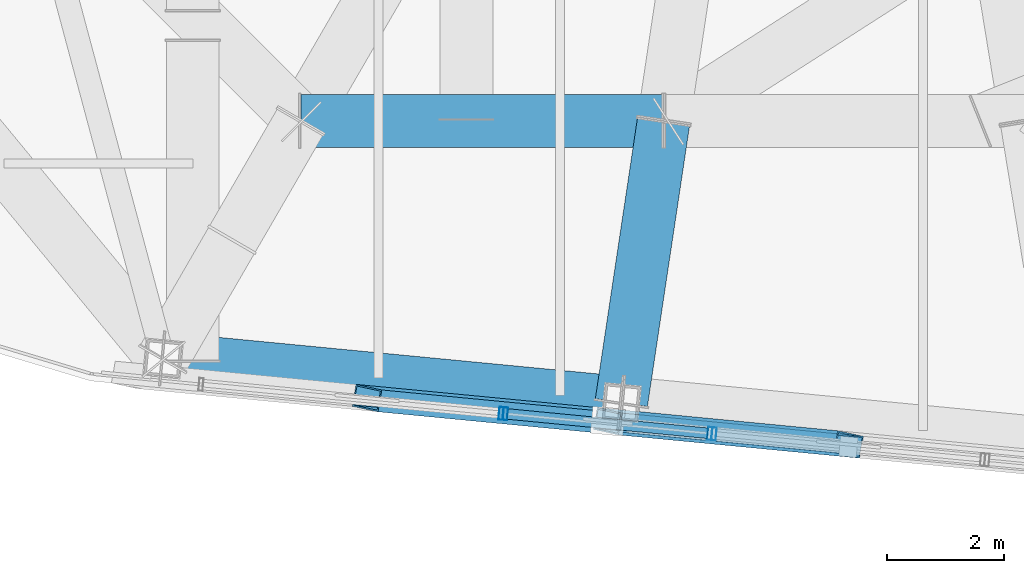
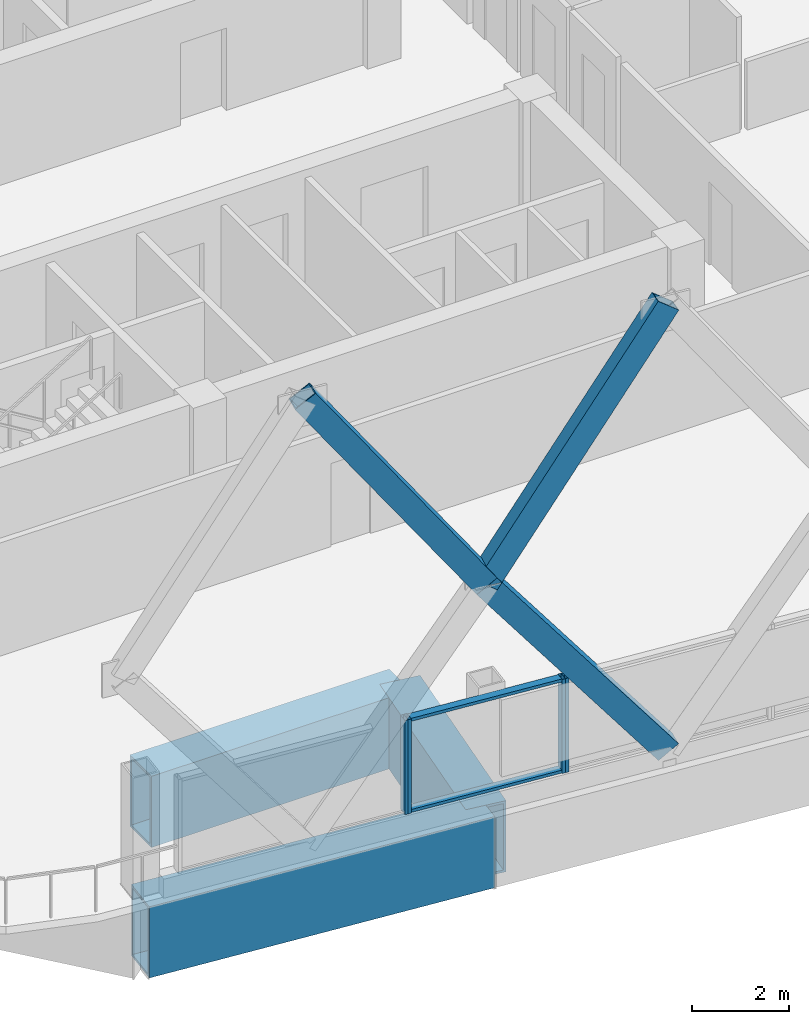
# One storey, part 3 of 31: 9 members, 3 beams, 3 elements without a shape of their own.
"""IFC4 building model written with IfcOpenShell, lengths in metres."""

from ifc_helpers import new_model, si_unit, direction, frame, origin, origin_2d, place, context, subcontext, project, spatial, hollow_rectangle, extrude, material, layer, layer_set, material_profile, profile_set, type_object, element, aggregate, save


model = new_model("IFC4")

# Units and contexts
model_context = context("Model", 3, precision=1e-05, world=origin(), true_north=direction((0.0, 1.0)))
body_context = subcontext(model_context, "Body", "Model", "MODEL_VIEW")
ifc_project = project(units=[si_unit("LENGTHUNIT", "METRE"), si_unit("AREAUNIT", "SQUARE_METRE"), si_unit("VOLUMEUNIT", "CUBIC_METRE"), si_unit("PLANEANGLEUNIT", "RADIAN"), si_unit("MASSUNIT", "GRAM", prefix="KILO")], contexts=[model_context])

# Site, building, storey
site_placement = place(None, origin())
site = spatial("IfcSite", under=ifc_project, at=site_placement, CompositionType="ELEMENT")
building_placement = place(site_placement, origin())
building = spatial("IfcBuilding", under=site, at=building_placement, Name="Qhalaya Broadcast Tower", CompositionType="ELEMENT")
storey_placement = place(building_placement, frame((0.0, 0.0, 242.85009765625)))
storey = spatial("IfcBuildingStorey", under=building, at=storey_placement, Name="L71", CompositionType="ELEMENT", Elevation=242.85009765625)

# Beams
ifc_material_1 = material(Name="Structural Steel ASTM A572 Grade 50", Category="steel")
ifc_material_profile_1 = material_profile(ifc_material_1, hollow_rectangle(XDim=0.89990234375, YDim=1.800048828125, WallThickness=0.06005859375, at=origin_2d()), Name="BOX 900x1800x60")
ifc_profile_set_1 = profile_set([ifc_material_profile_1], Name="Structural Steel ASTM A572 Grade 50")
beam_type = type_object("IfcBeamType", Name="Block Cantilever Transfer Box Girder TG1", PredefinedType="USERDEFINED", material=ifc_profile_set_1)
beam_1_placement = place(storey_placement, frame((-9.883056640625, -19.82861328125, -1.090087890625), z_axis=(0.995397308407, -0.095834223619, 0.0), x_axis=(0.095834223619, 0.995397308407, 0.0)))
element("IfcBeam", 1, at=beam_1_placement, inside=storey, type_object=beam_type, Name="L71 TG1 L71-SPR-01", ObjectType="GIRDER", PredefinedType="USERDEFINED", context=body_context, shape_type="SweptSolid", body=[
    extrude(hollow_rectangle(XDim=0.89990234375, YDim=1.800048828125, WallThickness=0.06005859375, at=origin_2d()), origin(), (0.0, 0.0, 1.0), 7.86669921875),
])
beam_2_placement = place(storey_placement, frame((-7.530029296875, -15.77001953125, -1.090087890625), z_axis=(1.0, 0.0, 0.0), x_axis=(0.0, 1.0, 0.0)))
element("IfcBeam", 2, at=beam_2_placement, inside=storey, type_object=beam_type, Name="L71 TG1 L71-TGL-01", ObjectType="GIRDER", PredefinedType="USERDEFINED", context=body_context, shape_type="SweptSolid", body=[
    extrude(hollow_rectangle(XDim=0.89990234375, YDim=1.800048828125, WallThickness=0.06005859375, at=origin_2d()), origin(), (0.0, 0.0, 1.0), 6.199951171875),
])
beam_3_placement = place(storey_placement, frame((-1.330078125, -15.77001953125, -1.090087890625), z_axis=(-0.148448393908, -0.988920155698, 0.0), x_axis=(0.988920155698, -0.148448393908, 0.0)))
element("IfcBeam", 3, at=beam_3_placement, inside=storey, type_object=beam_type, Name="L71 Cantilever Transfer Box Girder 02", ObjectType="GIRDER", PredefinedType="USERDEFINED", context=body_context, shape_type="SweptSolid", body=[
    extrude(hollow_rectangle(XDim=0.89990234375, YDim=1.800048828125, WallThickness=0.06005859375, at=origin_2d()), origin(), (0.0, 0.0, 1.0), 4.866455078125),
])

# Members
ifc_material_profile_2 = material_profile(ifc_material_1, hollow_rectangle(XDim=0.3798828125, YDim=0.550048828125, WallThickness=0.02490234375, at=origin_2d()), Name="BOX 380x550x25")
ifc_profile_set_2 = profile_set([ifc_material_profile_2], Name="Structural Steel ASTM A572 Grade 50")
member_type_1 = type_object("IfcMemberType", Name="Exoskeleton Diamond Diagonal Upper EX4", PredefinedType="BRACE", material=ifc_profile_set_2)
member_1_placement = place(storey_placement, frame((-2.2841796875, -20.901611328125, 5.7548828125), z_axis=(-0.572754517502, 0.055127452373, 0.817871155303), x_axis=(-0.17339475171, -0.983307053674, -0.055149780368)))
element("IfcMember", 4, at=member_1_placement, inside=storey, type_object=member_type_1, Name="B6 Exoskeleton Diamond Brace S1-D4", PredefinedType="BRACE", context=body_context, shape_type="SweptSolid", body=[
    extrude(hollow_rectangle(XDim=0.3798828125, YDim=0.550048828125, WallThickness=0.02490234375, at=origin_2d()), origin(), (0.0, 0.0, 1.0), 7.183349609375),
])
member_2_placement = place(storey_placement, frame((1.830078125, -21.2978515625, 0.35986328125), z_axis=(-0.605362942159, 0.058301925892, 0.793811434597), x_axis=(-0.171157163881, -0.983517925101, -0.058289932722)))
element("IfcMember", 5, at=member_2_placement, inside=storey, type_object=member_type_1, Name="B6 Exoskeleton Diamond Brace S2-D1", PredefinedType="BRACE", context=body_context, shape_type="SweptSolid", body=[
    extrude(hollow_rectangle(XDim=0.3798828125, YDim=0.550048828125, WallThickness=0.02490234375, at=origin_2d()), origin(), (0.0, 0.0, 1.0), 6.79638671875),
])
member_3_placement = place(storey_placement, frame((-2.2841796875, -20.901611328125, 5.7548828125), z_axis=(0.572753444041, -0.055161336321, 0.817869622443), x_axis=(0.173452418829, 0.983296871293, -0.055149989195)))
element("IfcMember", 6, at=member_3_placement, inside=storey, type_object=member_type_1, Name="B6 Exoskeleton Diamond Brace S2-D3", PredefinedType="BRACE", context=body_context, shape_type="SweptSolid", body=[
    extrude(hollow_rectangle(XDim=0.3798828125, YDim=0.550048828125, WallThickness=0.02490234375, at=origin_2d()), origin(), (0.0, 0.0, 1.0), 7.183349609375),
])

# Curtain wall, member
ifc_material_2 = material(Name="Fired Architectural Terracotta", Category="masonry")
ifc_layer_1 = layer(ifc_material_2, 0.219970703125, Name="Fired Architectural Terracotta")
ifc_layer_set_1 = layer_set([ifc_layer_1], Name="Fired Architectural Terracotta")
curtain_wall_type_1 = type_object("IfcCurtainWallType", Name="Block-Cap Unitised Terracotta Spandrel Wall CW-07", PredefinedType="NOTDEFINED", material=ifc_layer_set_1)
curtain_wall_1_placement = place(storey_placement, origin())
curtain_wall_1 = element("IfcCurtainWall", 7, at=curtain_wall_1_placement, inside=storey, type_object=curtain_wall_type_1, Name="L71 Unitised Curtain Wall L71-CW-S1", PredefinedType="NOTDEFINED")
ifc_material_3 = material(Name="Anodised Aluminium 6063-T6", Category="aluminium")
ifc_material_profile_3 = material_profile(ifc_material_3, hollow_rectangle(XDim=0.074951171875, YDim=0.219970703125, WallThickness=0.00390625, at=origin_2d()), Name="ALU-MUL 75x220x4")
ifc_profile_set_3 = profile_set([ifc_material_profile_3], Name="Anodised Aluminium 6063-T6")
member_type_2 = type_object("IfcMemberType", Name="Unitised Curtain-Wall Mullion M01", PredefinedType="MULLION", material=ifc_profile_set_3)
member_4_placement = place(storey_placement, frame((-4.10791015625, -20.766357421875, 0.47998046875), z_axis=(0.0, 0.0, 1.0), x_axis=(0.995395942778, -0.095848406879, 0.0)))
member_4 = element("IfcMember", 8, at=member_4_placement, type_object=member_type_2, Name="CW-07 mullion 2", PredefinedType="MULLION", context=body_context, shape_type="SweptSolid", body=[
    extrude(hollow_rectangle(XDim=0.074951171875, YDim=0.219970703125, WallThickness=0.00390625, at=origin_2d()), origin(), (0.0, 0.0, 1.0), 2.3798828125),
])
aggregate(curtain_wall_1, [member_4])

# Curtain wall, members
ifc_material_4 = material(Name="Solar-Control Low-E Triple Glazing", Category="glass")
ifc_layer_2 = layer(ifc_material_4, 0.219970703125, Name="Solar-Control Low-E Triple Glazing")
ifc_layer_set_2 = layer_set([ifc_layer_2], Name="Solar-Control Low-E Triple Glazing")
curtain_wall_type_2 = type_object("IfcCurtainWallType", Name="High-Altitude Upper-Shaft Triple Low-E Curtain Wall CW-04", PredefinedType="NOTDEFINED", material=ifc_layer_set_2)
curtain_wall_2_placement = place(storey_placement, origin())
curtain_wall_2 = element("IfcCurtainWall", 9, at=curtain_wall_2_placement, inside=storey, type_object=curtain_wall_type_2, Name="L71 Unitised Curtain Wall L71-CW-S2", PredefinedType="NOTDEFINED")
member_5_placement = place(storey_placement, frame((-4.033203125, -20.7734375, 0.47998046875), z_axis=(0.0, 0.0, 1.0), x_axis=(0.995397049282, -0.095836915023, 0.0)))
member_5 = element("IfcMember", 10, at=member_5_placement, type_object=member_type_2, Name="CW-04 mullion 1", PredefinedType="MULLION", context=body_context, shape_type="SweptSolid", body=[
    extrude(hollow_rectangle(XDim=0.074951171875, YDim=0.219970703125, WallThickness=0.00390625, at=origin_2d()), origin(), (0.0, 0.0, 1.0), 2.3798828125),
])
member_6_placement = place(storey_placement, frame((-0.543212890625, -21.109619140625, 0.47998046875), z_axis=(0.0, 0.0, 1.0), x_axis=(0.995397049282, -0.095836915023, 0.0)))
member_6 = element("IfcMember", 11, at=member_6_placement, type_object=member_type_2, Name="CW-04 mullion 2", PredefinedType="MULLION", context=body_context, shape_type="SweptSolid", body=[
    extrude(hollow_rectangle(XDim=0.074951171875, YDim=0.219970703125, WallThickness=0.00390625, at=origin_2d()), origin(), (0.0, 0.0, 1.0), 2.3798828125),
])

# Curtain wall, member
curtain_wall_3_placement = place(storey_placement, origin())
curtain_wall_3 = element("IfcCurtainWall", 12, at=curtain_wall_3_placement, inside=storey, type_object=curtain_wall_type_1, Name="L71 Unitised Curtain Wall L71-CW-S3", PredefinedType="NOTDEFINED")
member_7_placement = place(storey_placement, frame((-0.468505859375, -21.11669921875, 0.47998046875), z_axis=(0.0, 0.0, 1.0), x_axis=(0.995394786046, -0.095860418903, 0.0)))
member_7 = element("IfcMember", 13, at=member_7_placement, type_object=member_type_2, Name="CW-07 mullion 1", PredefinedType="MULLION", context=body_context, shape_type="SweptSolid", body=[
    extrude(hollow_rectangle(XDim=0.074951171875, YDim=0.219970703125, WallThickness=0.00390625, at=origin_2d()), origin(), (0.0, 0.0, 1.0), 2.3798828125),
])
aggregate(curtain_wall_3, [member_7])

# Member
ifc_material_profile_4 = material_profile(ifc_material_3, hollow_rectangle(XDim=0.074951171875, YDim=0.179931640625, WallThickness=0.00390625, at=origin_2d()), Name="ALU-TRN 75x180x4")
ifc_profile_set_4 = profile_set([ifc_material_profile_4], Name="Anodised Aluminium 6063-T6")
member_type_3 = type_object("IfcMemberType", Name="Unitised Curtain-Wall Transom T01", PredefinedType="USERDEFINED", material=ifc_profile_set_4)
member_8_placement = place(storey_placement, frame((-3.995849609375, -20.777099609375, 0.517333984375), z_axis=(0.995396113477, -0.095846634131, 0.0), x_axis=(0.0, 0.0, 1.0)))
member_8 = element("IfcMember", 14, at=member_8_placement, type_object=member_type_3, Name="CW-04 transom 1.1", ObjectType="TRANSOM", PredefinedType="USERDEFINED", context=body_context, shape_type="SweptSolid", body=[
    extrude(hollow_rectangle(XDim=0.074951171875, YDim=0.179931640625, WallThickness=0.00390625, at=origin_2d()), origin(), (0.0, 0.0, 1.0), 3.43115234375),
])

member_9_placement = place(storey_placement, frame((-3.995849609375, -20.777099609375, 2.822509765625), z_axis=(0.995396113477, -0.095846634131, 0.0), x_axis=(0.0, 0.0, 1.0)))
member_9 = element("IfcMember", 15, at=member_9_placement, type_object=member_type_3, Name="CW-04 transom 1.2", ObjectType="TRANSOM", PredefinedType="USERDEFINED", context=body_context, shape_type="SweptSolid", body=[
    extrude(hollow_rectangle(XDim=0.074951171875, YDim=0.179931640625, WallThickness=0.00390625, at=origin_2d()), origin(), (0.0, 0.0, 1.0), 3.43115234375),
])

aggregate(curtain_wall_2, [member_5, member_6, member_8, member_9])

save(model, "model.ifc")
